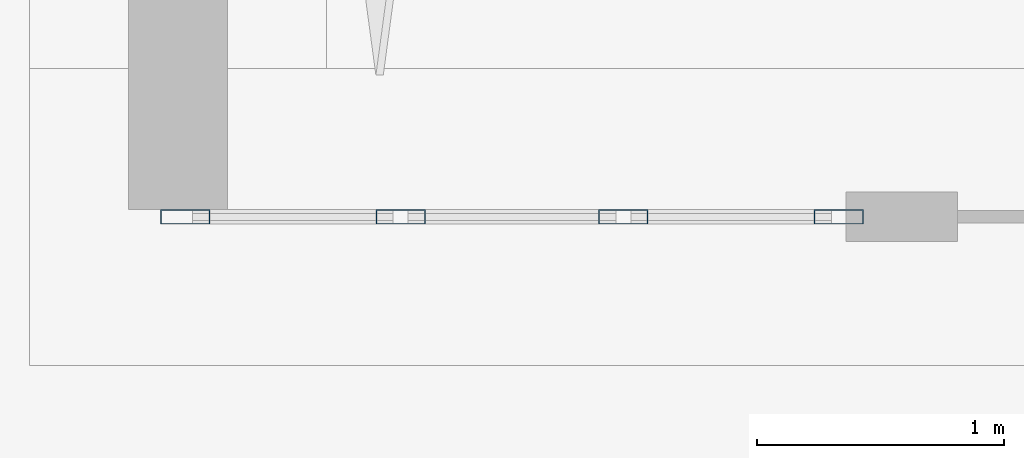
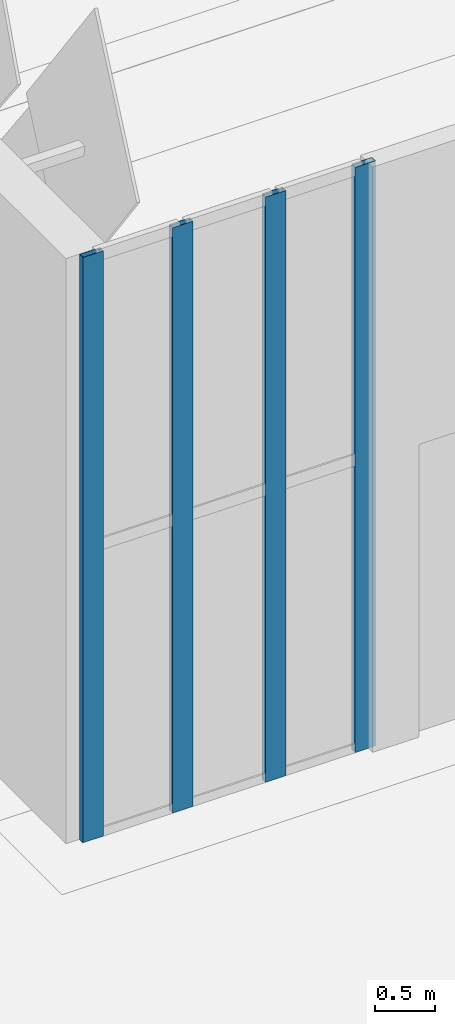
# One storey, part 46 of 198: 4 members, 1 element without a shape of its own.
"""IFC4 building model written with IfcOpenShell, lengths in metres."""

from ifc_helpers import new_model, si_unit, direction, frame, origin, origin_2d, place, context, subcontext, project, spatial, hollow_rectangle, extrude, material, layer, layer_set, material_profile, profile_set, type_object, element, aggregate, save


model = new_model("IFC4")

# Units and contexts
model_context = context("Model", 3, precision=1e-05, world=origin(), true_north=direction((0.0, 1.0)))
body_context = subcontext(model_context, "Body", "Model", "MODEL_VIEW")
ifc_project = project(units=[si_unit("LENGTHUNIT", "METRE"), si_unit("AREAUNIT", "SQUARE_METRE"), si_unit("VOLUMEUNIT", "CUBIC_METRE"), si_unit("PLANEANGLEUNIT", "RADIAN"), si_unit("MASSUNIT", "GRAM", prefix="KILO")], contexts=[model_context])

# Site, building, storey
site_placement = place(None, origin())
site = spatial("IfcSite", under=ifc_project, at=site_placement, CompositionType="ELEMENT")
building_placement = place(site_placement, origin())
building = spatial("IfcBuilding", under=site, at=building_placement, Name="Opaline Strait Convention Centre", CompositionType="ELEMENT")
storey_placement = place(building_placement, origin())
storey = spatial("IfcBuildingStorey", under=building, at=storey_placement, Name="L00", CompositionType="ELEMENT", Elevation=0.0)

# Curtain wall, members
ifc_material_1 = material(Name="Aluminium framed glazing", Category="aluminium")
ifc_layer = layer(ifc_material_1, 0.199951171875)
ifc_layer_set = layer_set([ifc_layer], Name="Aluminium framed glazing")
curtain_wall_type = type_object("IfcCurtainWallType", Name="Entrance curtain wall 1500", PredefinedType="NOTDEFINED", material=ifc_layer_set)
curtain_wall_placement = place(storey_placement, origin())
curtain_wall = element("IfcCurtainWall", 1, at=curtain_wall_placement, inside=storey, type_object=curtain_wall_type, Name="Entrance curtain wall L00-E1", PredefinedType="NOTDEFINED")
ifc_material_2 = material(Name="Aluminium alloy 6063", Category="aluminium")
ifc_material_profile = material_profile(ifc_material_2, hollow_rectangle(XDim=0.06005859375, YDim=0.199951171875, WallThickness=0.00390625, at=origin_2d()), Name="MULLION 60x200x4")
ifc_profile_set = profile_set([ifc_material_profile], Name="Aluminium alloy 6063")
member_type = type_object("IfcMemberType", Name="Curtain wall mullion 60 x 200", PredefinedType="MULLION", material=ifc_profile_set)
member_1_placement = place(storey_placement, frame((153.030029296875, 144.0, 0.0), z_axis=(0.0, 0.0, 1.0), x_axis=(0.0, 1.0, 0.0)))
member_1 = element("IfcMember", 2, at=member_1_placement, type_object=member_type, Name="XCW mullion 1", PredefinedType="MULLION", context=body_context, shape_type="SweptSolid", body=[
    extrude(hollow_rectangle(XDim=0.06005859375, YDim=0.199951171875, WallThickness=0.00390625, at=origin_2d()), origin(), (0.0, 0.0, 1.0), 6.0),
])
member_2_placement = place(storey_placement, frame((153.89990234375, 144.0, 0.0), z_axis=(0.0, 0.0, 1.0), x_axis=(0.0, 1.0, 0.0)))
member_2 = element("IfcMember", 3, at=member_2_placement, type_object=member_type, Name="XCW mullion 2", PredefinedType="MULLION", context=body_context, shape_type="SweptSolid", body=[
    extrude(hollow_rectangle(XDim=0.06005859375, YDim=0.199951171875, WallThickness=0.00390625, at=origin_2d()), origin(), (0.0, 0.0, 1.0), 6.0),
])
member_3_placement = place(storey_placement, frame((154.800048828125, 144.0, 0.0), z_axis=(0.0, 0.0, 1.0), x_axis=(0.0, 1.0, 0.0)))
member_3 = element("IfcMember", 4, at=member_3_placement, type_object=member_type, Name="XCW mullion 3", PredefinedType="MULLION", context=body_context, shape_type="SweptSolid", body=[
    extrude(hollow_rectangle(XDim=0.06005859375, YDim=0.199951171875, WallThickness=0.00390625, at=origin_2d()), origin(), (0.0, 0.0, 1.0), 6.0),
])
member_4_placement = place(storey_placement, frame((155.669921875, 144.0, 0.0), z_axis=(0.0, 0.0, 1.0), x_axis=(0.0, 1.0, 0.0)))
member_4 = element("IfcMember", 5, at=member_4_placement, type_object=member_type, Name="XCW mullion 4", PredefinedType="MULLION", context=body_context, shape_type="SweptSolid", body=[
    extrude(hollow_rectangle(XDim=0.06005859375, YDim=0.199951171875, WallThickness=0.00390625, at=origin_2d()), origin(), (0.0, 0.0, 1.0), 6.0),
])
aggregate(curtain_wall, [member_1, member_2, member_3, member_4])

save(model, "model.ifc")
